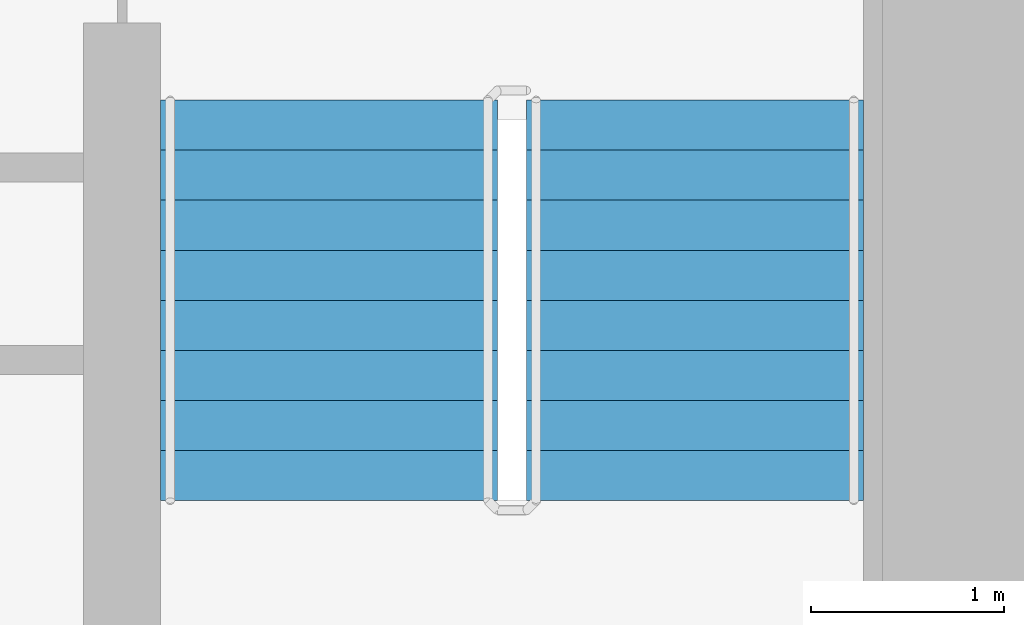
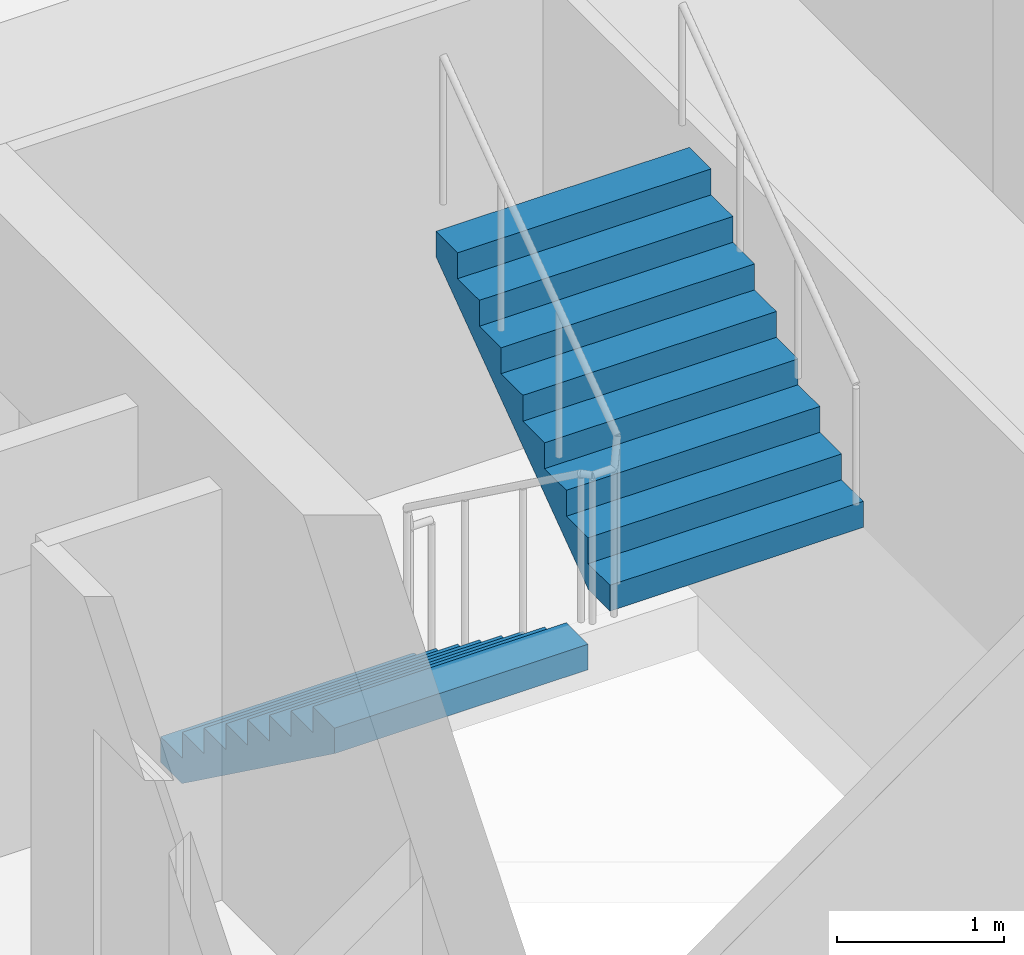
# One storey, part 20 of 25: 2 stair flights, 1 element without a shape of its own.
"""IFC4 building model written with IfcOpenShell, lengths in metres."""

from ifc_helpers import new_model, si_unit, direction, frame, origin, place, context, subcontext, project, spatial, faceted_brep, material, type_object, element, aggregate, save


model = new_model("IFC4")

# Units and contexts
model_context = context("Model", 3, precision=1e-05, world=origin(), true_north=direction((0.0, 1.0)))
body_context = subcontext(model_context, "Body", "Model", "MODEL_VIEW")
ifc_project = project(units=[si_unit("LENGTHUNIT", "METRE"), si_unit("AREAUNIT", "SQUARE_METRE"), si_unit("VOLUMEUNIT", "CUBIC_METRE"), si_unit("PLANEANGLEUNIT", "RADIAN"), si_unit("MASSUNIT", "GRAM", prefix="KILO")], contexts=[model_context])

# Site, building, storey
site_placement = place(None, origin())
site = spatial("IfcSite", under=ifc_project, at=site_placement, CompositionType="ELEMENT")
building_placement = place(site_placement, origin())
building = spatial("IfcBuilding", under=site, at=building_placement, Name="Ipe Terrace Towers", CompositionType="ELEMENT")
storey_placement = place(building_placement, frame((0.0, 0.0, 31.300048828125)))
storey = spatial("IfcBuildingStorey", under=building, at=storey_placement, Name="L07", CompositionType="ELEMENT", Elevation=31.300048828125)

# Stair, stair flights
ifc_material_1 = material(Name="Concrete C30/37", Category="concrete")
stair_type = type_object("IfcStairType", Name="Protected exit stair", PredefinedType="HALF_TURN_STAIR", material=ifc_material_1)
stair_placement = place(storey_placement, origin())
stair = element("IfcStair", 1, at=stair_placement, inside=storey, type_object=stair_type, Name="L07 Exit stair T2-C2", PredefinedType="HALF_TURN_STAIR")
ifc_material_2 = material(Name="Concrete C30/37", Category="concrete")
stair_flight_type = type_object("IfcStairFlightType", Name="Exit stair flight 1750", PredefinedType="STRAIGHT", material=ifc_material_2)
stair_flight_1_placement = place(storey_placement, frame((38.77490234375, -9.699951171875, 0.0), z_axis=(0.0, 0.0, 1.0), x_axis=(0.0, -1.0, 0.0)))
stair_flight_1 = element("IfcStairFlight", 2, at=stair_flight_1_placement, type_object=stair_flight_type, Name="T2-ST2 flight 1", NumberOfRisers=9, NumberOfTreads=8, PredefinedType="STRAIGHT", RiserHeight=0.188888889, TreadLength=0.26, context=body_context, shape_type="Brep", body=[
    faceted_brep([(0.255126953125, -0.875, 0.0), (2.080078125, -0.875, 1.325927734375), (2.080078125, -0.875, 1.51123046875), (1.820068359375, -0.875, 1.51123046875), (1.820068359375, -0.875, 1.322265625), (1.56005859375, -0.875, 1.322265625), (1.56005859375, -0.875, 1.13330078125), (1.300048828125, -0.875, 1.13330078125), (1.300048828125, -0.875, 0.9443359375), (1.0400390625, -0.875, 0.9443359375), (1.0400390625, -0.875, 0.755615234375), (0.780029296875, -0.875, 0.755615234375), (0.780029296875, -0.875, 0.566650390625), (0.52001953125, -0.875, 0.566650390625), (0.52001953125, -0.875, 0.377685546875), (0.260009765625, -0.875, 0.377685546875), (0.260009765625, -0.875, 0.18896484375), (0.0, -0.875, 0.18896484375), (0.0, -0.875, 0.0), (0.0, 0.875, 0.0), (0.0, 0.875, 0.18896484375), (0.260009765625, 0.875, 0.18896484375), (0.260009765625, 0.875, 0.377685546875), (0.52001953125, 0.875, 0.377685546875), (0.52001953125, 0.875, 0.566650390625), (0.780029296875, 0.875, 0.566650390625), (0.780029296875, 0.875, 0.755615234375), (1.0400390625, 0.875, 0.755615234375), (1.0400390625, 0.875, 0.9443359375), (1.300048828125, 0.875, 0.9443359375), (1.300048828125, 0.875, 1.13330078125), (1.56005859375, 0.875, 1.13330078125), (1.56005859375, 0.875, 1.322265625), (1.820068359375, 0.875, 1.322265625), (1.820068359375, 0.875, 1.51123046875), (2.080078125, 0.875, 1.51123046875), (2.080078125, 0.875, 1.325927734375), (0.255126953125, 0.875, 0.0), (0.0, -0.300048828125, 0.18896484375), (0.0, -0.1201171875, 0.18896484375), (0.0, -0.06005859375, 0.18896484375), (0.0, -0.030029296875, 0.18896484375), (0.0, -0.010009765625, 0.18896484375), (0.0, 0.0, 0.18896484375), (0.0, 0.010009765625, 0.18896484375), (0.0, 0.030029296875, 0.18896484375), (0.0, 0.06005859375, 0.18896484375), (0.0, 0.1201171875, 0.18896484375), (0.0, 0.300048828125, 0.18896484375), (0.0, 0.300048828125, 0.0), (0.0, 0.1201171875, 0.0), (0.0, 0.06005859375, 0.0), (0.0, 0.030029296875, 0.0), (0.0, 0.010009765625, 0.0), (0.0, 0.0, 0.0), (0.0, -0.010009765625, 0.0), (0.0, -0.030029296875, 0.0), (0.0, -0.06005859375, 0.0), (0.0, -0.1201171875, 0.0), (0.0, -0.300048828125, 0.0), (0.260009765625, -0.300048828125, 0.18896484375), (0.260009765625, -0.1201171875, 0.18896484375), (0.260009765625, -0.06005859375, 0.18896484375), (0.260009765625, -0.030029296875, 0.18896484375), (0.260009765625, -0.010009765625, 0.18896484375), (0.260009765625, 0.0, 0.18896484375), (0.260009765625, 0.010009765625, 0.18896484375), (0.260009765625, 0.030029296875, 0.18896484375), (0.260009765625, 0.06005859375, 0.18896484375), (0.260009765625, 0.1201171875, 0.18896484375), (0.260009765625, 0.300048828125, 0.18896484375), (0.260009765625, -0.300048828125, 0.377685546875), (0.260009765625, -0.1201171875, 0.377685546875), (0.260009765625, -0.06005859375, 0.377685546875), (0.260009765625, -0.030029296875, 0.377685546875), (0.260009765625, -0.010009765625, 0.377685546875), (0.260009765625, 0.0, 0.377685546875), (0.260009765625, 0.010009765625, 0.377685546875), (0.260009765625, 0.030029296875, 0.377685546875), (0.260009765625, 0.06005859375, 0.377685546875), (0.260009765625, 0.1201171875, 0.377685546875), (0.260009765625, 0.300048828125, 0.377685546875), (0.52001953125, -0.300048828125, 0.377685546875), (0.52001953125, -0.1201171875, 0.377685546875), (0.52001953125, -0.06005859375, 0.377685546875), (0.52001953125, -0.030029296875, 0.377685546875), (0.52001953125, -0.010009765625, 0.377685546875), (0.52001953125, 0.0, 0.377685546875), (0.52001953125, 0.010009765625, 0.377685546875), (0.52001953125, 0.030029296875, 0.377685546875), (0.52001953125, 0.06005859375, 0.377685546875), (0.52001953125, 0.1201171875, 0.377685546875), (0.52001953125, 0.300048828125, 0.377685546875), (0.52001953125, -0.300048828125, 0.566650390625), (0.52001953125, -0.1201171875, 0.566650390625), (0.52001953125, -0.06005859375, 0.566650390625), (0.52001953125, -0.030029296875, 0.566650390625), (0.52001953125, -0.010009765625, 0.566650390625), (0.52001953125, 0.0, 0.566650390625), (0.52001953125, 0.010009765625, 0.566650390625), (0.52001953125, 0.030029296875, 0.566650390625), (0.52001953125, 0.06005859375, 0.566650390625), (0.52001953125, 0.1201171875, 0.566650390625), (0.52001953125, 0.300048828125, 0.566650390625), (0.780029296875, -0.300048828125, 0.566650390625), (0.780029296875, -0.1201171875, 0.566650390625), (0.780029296875, -0.06005859375, 0.566650390625), (0.780029296875, -0.030029296875, 0.566650390625), (0.780029296875, -0.010009765625, 0.566650390625), (0.780029296875, 0.0, 0.566650390625), (0.780029296875, 0.010009765625, 0.566650390625), (0.780029296875, 0.030029296875, 0.566650390625), (0.780029296875, 0.06005859375, 0.566650390625), (0.780029296875, 0.1201171875, 0.566650390625), (0.780029296875, 0.300048828125, 0.566650390625), (0.780029296875, -0.300048828125, 0.755615234375), (0.780029296875, -0.1201171875, 0.755615234375), (0.780029296875, -0.06005859375, 0.755615234375), (0.780029296875, -0.030029296875, 0.755615234375), (0.780029296875, -0.010009765625, 0.755615234375), (0.780029296875, 0.0, 0.755615234375), (0.780029296875, 0.010009765625, 0.755615234375), (0.780029296875, 0.030029296875, 0.755615234375), (0.780029296875, 0.06005859375, 0.755615234375), (0.780029296875, 0.1201171875, 0.755615234375), (0.780029296875, 0.300048828125, 0.755615234375), (1.0400390625, -0.300048828125, 0.755615234375), (1.0400390625, -0.1201171875, 0.755615234375), (1.0400390625, -0.06005859375, 0.755615234375), (1.0400390625, -0.030029296875, 0.755615234375), (1.0400390625, -0.010009765625, 0.755615234375), (1.0400390625, 0.0, 0.755615234375), (1.0400390625, 0.010009765625, 0.755615234375), (1.0400390625, 0.030029296875, 0.755615234375), (1.0400390625, 0.06005859375, 0.755615234375), (1.0400390625, 0.1201171875, 0.755615234375), (1.0400390625, 0.300048828125, 0.755615234375), (1.0400390625, -0.300048828125, 0.9443359375), (1.0400390625, -0.1201171875, 0.9443359375), (1.0400390625, -0.06005859375, 0.9443359375), (1.0400390625, -0.030029296875, 0.9443359375), (1.0400390625, -0.010009765625, 0.9443359375), (1.0400390625, 0.0, 0.9443359375), (1.0400390625, 0.010009765625, 0.9443359375), (1.0400390625, 0.030029296875, 0.9443359375), (1.0400390625, 0.06005859375, 0.9443359375), (1.0400390625, 0.1201171875, 0.9443359375), (1.0400390625, 0.300048828125, 0.9443359375), (1.300048828125, -0.300048828125, 0.9443359375), (1.300048828125, -0.1201171875, 0.9443359375), (1.300048828125, -0.06005859375, 0.9443359375), (1.300048828125, -0.030029296875, 0.9443359375), (1.300048828125, -0.010009765625, 0.9443359375), (1.300048828125, 0.0, 0.9443359375), (1.300048828125, 0.010009765625, 0.9443359375), (1.300048828125, 0.030029296875, 0.9443359375), (1.300048828125, 0.06005859375, 0.9443359375), (1.300048828125, 0.1201171875, 0.9443359375), (1.300048828125, 0.300048828125, 0.9443359375), (1.300048828125, -0.300048828125, 1.13330078125), (1.300048828125, -0.1201171875, 1.13330078125), (1.300048828125, -0.06005859375, 1.13330078125), (1.300048828125, -0.030029296875, 1.13330078125), (1.300048828125, -0.010009765625, 1.13330078125), (1.300048828125, 0.0, 1.13330078125), (1.300048828125, 0.010009765625, 1.13330078125), (1.300048828125, 0.030029296875, 1.13330078125), (1.300048828125, 0.06005859375, 1.13330078125), (1.300048828125, 0.1201171875, 1.13330078125), (1.300048828125, 0.300048828125, 1.13330078125), (1.56005859375, -0.300048828125, 1.13330078125), (1.56005859375, -0.1201171875, 1.13330078125), (1.56005859375, -0.06005859375, 1.13330078125), (1.56005859375, -0.030029296875, 1.13330078125), (1.56005859375, -0.010009765625, 1.13330078125), (1.56005859375, 0.0, 1.13330078125), (1.56005859375, 0.010009765625, 1.13330078125), (1.56005859375, 0.030029296875, 1.13330078125), (1.56005859375, 0.06005859375, 1.13330078125), (1.56005859375, 0.1201171875, 1.13330078125), (1.56005859375, 0.300048828125, 1.13330078125), (1.56005859375, -0.300048828125, 1.322265625), (1.56005859375, -0.1201171875, 1.322265625), (1.56005859375, -0.06005859375, 1.322265625), (1.56005859375, -0.030029296875, 1.322265625), (1.56005859375, -0.010009765625, 1.322265625), (1.56005859375, 0.0, 1.322265625), (1.56005859375, 0.010009765625, 1.322265625), (1.56005859375, 0.030029296875, 1.322265625), (1.56005859375, 0.06005859375, 1.322265625), (1.56005859375, 0.1201171875, 1.322265625), (1.56005859375, 0.300048828125, 1.322265625), (1.820068359375, -0.300048828125, 1.322265625), (1.820068359375, -0.1201171875, 1.322265625), (1.820068359375, -0.06005859375, 1.322265625), (1.820068359375, -0.030029296875, 1.322265625), (1.820068359375, -0.010009765625, 1.322265625), (1.820068359375, 0.0, 1.322265625), (1.820068359375, 0.010009765625, 1.322265625), (1.820068359375, 0.030029296875, 1.322265625), (1.820068359375, 0.06005859375, 1.322265625), (1.820068359375, 0.1201171875, 1.322265625), (1.820068359375, 0.300048828125, 1.322265625), (1.820068359375, -0.300048828125, 1.51123046875), (1.820068359375, -0.1201171875, 1.51123046875), (1.820068359375, -0.06005859375, 1.51123046875), (1.820068359375, -0.030029296875, 1.51123046875), (1.820068359375, -0.010009765625, 1.51123046875), (1.820068359375, 0.0, 1.51123046875), (1.820068359375, 0.010009765625, 1.51123046875), (1.820068359375, 0.030029296875, 1.51123046875), (1.820068359375, 0.06005859375, 1.51123046875), (1.820068359375, 0.1201171875, 1.51123046875), (1.820068359375, 0.300048828125, 1.51123046875), (2.080078125, -0.300048828125, 1.51123046875), (2.080078125, -0.1201171875, 1.51123046875), (2.080078125, -0.06005859375, 1.51123046875), (2.080078125, -0.030029296875, 1.51123046875), (2.080078125, -0.010009765625, 1.51123046875), (2.080078125, 0.0, 1.51123046875), (2.080078125, 0.010009765625, 1.51123046875), (2.080078125, 0.030029296875, 1.51123046875), (2.080078125, 0.06005859375, 1.51123046875), (2.080078125, 0.1201171875, 1.51123046875), (2.080078125, 0.300048828125, 1.51123046875), (2.080078125, -0.300048828125, 1.325927734375), (2.080078125, -0.1201171875, 1.325927734375), (2.080078125, -0.06005859375, 1.325927734375), (2.080078125, -0.030029296875, 1.325927734375), (2.080078125, -0.010009765625, 1.325927734375), (2.080078125, 0.0, 1.325927734375), (2.080078125, 0.010009765625, 1.325927734375), (2.080078125, 0.030029296875, 1.325927734375), (2.080078125, 0.06005859375, 1.325927734375), (2.080078125, 0.1201171875, 1.325927734375), (2.080078125, 0.300048828125, 1.325927734375), (0.255126953125, -0.300048828125, 0.0), (0.255126953125, -0.1201171875, 0.0), (0.255126953125, -0.06005859375, 0.0), (0.255126953125, -0.030029296875, 0.0), (0.255126953125, -0.010009765625, 0.0), (0.255126953125, 0.0, 0.0), (0.255126953125, 0.010009765625, 0.0), (0.255126953125, 0.030029296875, 0.0), (0.255126953125, 0.06005859375, 0.0), (0.255126953125, 0.1201171875, 0.0), (0.255126953125, 0.300048828125, 0.0)], [[[0, 1, 2, 3, 4, 5, 6, 7, 8, 9, 10, 11, 12, 13, 14, 15, 16, 17, 18]], [[19, 20, 21, 22, 23, 24, 25, 26, 27, 28, 29, 30, 31, 32, 33, 34, 35, 36, 37]], [[17, 38, 39, 40, 41, 42, 43, 44, 45, 46, 47, 48, 20, 19, 49, 50, 51, 52, 53, 54, 55, 56, 57, 58, 59, 18]], [[16, 60, 61, 62, 63, 64, 65, 66, 67, 68, 69, 70, 21, 20, 48, 47, 46, 45, 44, 43, 42, 41, 40, 39, 38, 17]], [[15, 71, 72, 73, 74, 75, 76, 77, 78, 79, 80, 81, 22, 21, 70, 69, 68, 67, 66, 65, 64, 63, 62, 61, 60, 16]], [[14, 82, 83, 84, 85, 86, 87, 88, 89, 90, 91, 92, 23, 22, 81, 80, 79, 78, 77, 76, 75, 74, 73, 72, 71, 15]], [[13, 93, 94, 95, 96, 97, 98, 99, 100, 101, 102, 103, 24, 23, 92, 91, 90, 89, 88, 87, 86, 85, 84, 83, 82, 14]], [[12, 104, 105, 106, 107, 108, 109, 110, 111, 112, 113, 114, 25, 24, 103, 102, 101, 100, 99, 98, 97, 96, 95, 94, 93, 13]], [[11, 115, 116, 117, 118, 119, 120, 121, 122, 123, 124, 125, 26, 25, 114, 113, 112, 111, 110, 109, 108, 107, 106, 105, 104, 12]], [[10, 126, 127, 128, 129, 130, 131, 132, 133, 134, 135, 136, 27, 26, 125, 124, 123, 122, 121, 120, 119, 118, 117, 116, 115, 11]], [[9, 137, 138, 139, 140, 141, 142, 143, 144, 145, 146, 147, 28, 27, 136, 135, 134, 133, 132, 131, 130, 129, 128, 127, 126, 10]], [[8, 148, 149, 150, 151, 152, 153, 154, 155, 156, 157, 158, 29, 28, 147, 146, 145, 144, 143, 142, 141, 140, 139, 138, 137, 9]], [[7, 159, 160, 161, 162, 163, 164, 165, 166, 167, 168, 169, 30, 29, 158, 157, 156, 155, 154, 153, 152, 151, 150, 149, 148, 8]], [[6, 170, 171, 172, 173, 174, 175, 176, 177, 178, 179, 180, 31, 30, 169, 168, 167, 166, 165, 164, 163, 162, 161, 160, 159, 7]], [[5, 181, 182, 183, 184, 185, 186, 187, 188, 189, 190, 191, 32, 31, 180, 179, 178, 177, 176, 175, 174, 173, 172, 171, 170, 6]], [[4, 192, 193, 194, 195, 196, 197, 198, 199, 200, 201, 202, 33, 32, 191, 190, 189, 188, 187, 186, 185, 184, 183, 182, 181, 5]], [[3, 203, 204, 205, 206, 207, 208, 209, 210, 211, 212, 213, 34, 33, 202, 201, 200, 199, 198, 197, 196, 195, 194, 193, 192, 4]], [[2, 214, 215, 216, 217, 218, 219, 220, 221, 222, 223, 224, 35, 34, 213, 212, 211, 210, 209, 208, 207, 206, 205, 204, 203, 3]], [[1, 225, 226, 227, 228, 229, 230, 231, 232, 233, 234, 235, 36, 35, 224, 223, 222, 221, 220, 219, 218, 217, 216, 215, 214, 2]], [[0, 236, 237, 238, 239, 240, 241, 242, 243, 244, 245, 246, 37, 36, 235, 234, 233, 232, 231, 230, 229, 228, 227, 226, 225, 1]], [[18, 59, 58, 57, 56, 55, 54, 53, 52, 51, 50, 49, 19, 37, 246, 245, 244, 243, 242, 241, 240, 239, 238, 237, 236, 0]]]),
])
stair_flight_2_placement = place(storey_placement, frame((40.675048828125, -11.780029296875, 1.699951171875), z_axis=(0.0, 0.0, 1.0), x_axis=(0.0, 1.0, 0.0)))
stair_flight_2 = element("IfcStairFlight", 3, at=stair_flight_2_placement, type_object=stair_flight_type, Name="T2-ST2 flight 2", NumberOfRisers=9, NumberOfTreads=8, PredefinedType="STRAIGHT", RiserHeight=0.188888889, TreadLength=0.26, context=body_context, shape_type="Brep", body=[
    faceted_brep([(0.255126953125, -0.875, 0.0), (2.080078125, -0.875, 1.325927734375), (2.080078125, -0.875, 1.51123046875), (1.820068359375, -0.875, 1.51123046875), (1.820068359375, -0.875, 1.322265625), (1.56005859375, -0.875, 1.322265625), (1.56005859375, -0.875, 1.13330078125), (1.300048828125, -0.875, 1.13330078125), (1.300048828125, -0.875, 0.9443359375), (1.0400390625, -0.875, 0.9443359375), (1.0400390625, -0.875, 0.755615234375), (0.780029296875, -0.875, 0.755615234375), (0.780029296875, -0.875, 0.566650390625), (0.52001953125, -0.875, 0.566650390625), (0.52001953125, -0.875, 0.377685546875), (0.260009765625, -0.875, 0.377685546875), (0.260009765625, -0.875, 0.18896484375), (0.0, -0.875, 0.18896484375), (0.0, -0.875, 0.0), (0.0, 0.875, 0.0), (0.0, 0.875, 0.18896484375), (0.260009765625, 0.875, 0.18896484375), (0.260009765625, 0.875, 0.377685546875), (0.52001953125, 0.875, 0.377685546875), (0.52001953125, 0.875, 0.566650390625), (0.780029296875, 0.875, 0.566650390625), (0.780029296875, 0.875, 0.755615234375), (1.0400390625, 0.875, 0.755615234375), (1.0400390625, 0.875, 0.9443359375), (1.300048828125, 0.875, 0.9443359375), (1.300048828125, 0.875, 1.13330078125), (1.56005859375, 0.875, 1.13330078125), (1.56005859375, 0.875, 1.322265625), (1.820068359375, 0.875, 1.322265625), (1.820068359375, 0.875, 1.51123046875), (2.080078125, 0.875, 1.51123046875), (2.080078125, 0.875, 1.325927734375), (0.255126953125, 0.875, 0.0), (0.0, -0.300048828125, 0.18896484375), (0.0, -0.1201171875, 0.18896484375), (0.0, -0.06005859375, 0.18896484375), (0.0, -0.030029296875, 0.18896484375), (0.0, -0.010009765625, 0.18896484375), (0.0, 0.0, 0.18896484375), (0.0, 0.010009765625, 0.18896484375), (0.0, 0.030029296875, 0.18896484375), (0.0, 0.06005859375, 0.18896484375), (0.0, 0.1201171875, 0.18896484375), (0.0, 0.300048828125, 0.18896484375), (0.0, 0.300048828125, 0.0), (0.0, 0.1201171875, 0.0), (0.0, 0.06005859375, 0.0), (0.0, 0.030029296875, 0.0), (0.0, 0.010009765625, 0.0), (0.0, 0.0, 0.0), (0.0, -0.010009765625, 0.0), (0.0, -0.030029296875, 0.0), (0.0, -0.06005859375, 0.0), (0.0, -0.1201171875, 0.0), (0.0, -0.300048828125, 0.0), (0.260009765625, -0.300048828125, 0.18896484375), (0.260009765625, -0.1201171875, 0.18896484375), (0.260009765625, -0.06005859375, 0.18896484375), (0.260009765625, -0.030029296875, 0.18896484375), (0.260009765625, -0.010009765625, 0.18896484375), (0.260009765625, 0.0, 0.18896484375), (0.260009765625, 0.010009765625, 0.18896484375), (0.260009765625, 0.030029296875, 0.18896484375), (0.260009765625, 0.06005859375, 0.18896484375), (0.260009765625, 0.1201171875, 0.18896484375), (0.260009765625, 0.300048828125, 0.18896484375), (0.260009765625, -0.300048828125, 0.377685546875), (0.260009765625, -0.1201171875, 0.377685546875), (0.260009765625, -0.06005859375, 0.377685546875), (0.260009765625, -0.030029296875, 0.377685546875), (0.260009765625, -0.010009765625, 0.377685546875), (0.260009765625, 0.0, 0.377685546875), (0.260009765625, 0.010009765625, 0.377685546875), (0.260009765625, 0.030029296875, 0.377685546875), (0.260009765625, 0.06005859375, 0.377685546875), (0.260009765625, 0.1201171875, 0.377685546875), (0.260009765625, 0.300048828125, 0.377685546875), (0.52001953125, -0.300048828125, 0.377685546875), (0.52001953125, -0.1201171875, 0.377685546875), (0.52001953125, -0.06005859375, 0.377685546875), (0.52001953125, -0.030029296875, 0.377685546875), (0.52001953125, -0.010009765625, 0.377685546875), (0.52001953125, 0.0, 0.377685546875), (0.52001953125, 0.010009765625, 0.377685546875), (0.52001953125, 0.030029296875, 0.377685546875), (0.52001953125, 0.06005859375, 0.377685546875), (0.52001953125, 0.1201171875, 0.377685546875), (0.52001953125, 0.300048828125, 0.377685546875), (0.52001953125, -0.300048828125, 0.566650390625), (0.52001953125, -0.1201171875, 0.566650390625), (0.52001953125, -0.06005859375, 0.566650390625), (0.52001953125, -0.030029296875, 0.566650390625), (0.52001953125, -0.010009765625, 0.566650390625), (0.52001953125, 0.0, 0.566650390625), (0.52001953125, 0.010009765625, 0.566650390625), (0.52001953125, 0.030029296875, 0.566650390625), (0.52001953125, 0.06005859375, 0.566650390625), (0.52001953125, 0.1201171875, 0.566650390625), (0.52001953125, 0.300048828125, 0.566650390625), (0.780029296875, -0.300048828125, 0.566650390625), (0.780029296875, -0.1201171875, 0.566650390625), (0.780029296875, -0.06005859375, 0.566650390625), (0.780029296875, -0.030029296875, 0.566650390625), (0.780029296875, -0.010009765625, 0.566650390625), (0.780029296875, 0.0, 0.566650390625), (0.780029296875, 0.010009765625, 0.566650390625), (0.780029296875, 0.030029296875, 0.566650390625), (0.780029296875, 0.06005859375, 0.566650390625), (0.780029296875, 0.1201171875, 0.566650390625), (0.780029296875, 0.300048828125, 0.566650390625), (0.780029296875, -0.300048828125, 0.755615234375), (0.780029296875, -0.1201171875, 0.755615234375), (0.780029296875, -0.06005859375, 0.755615234375), (0.780029296875, -0.030029296875, 0.755615234375), (0.780029296875, -0.010009765625, 0.755615234375), (0.780029296875, 0.0, 0.755615234375), (0.780029296875, 0.010009765625, 0.755615234375), (0.780029296875, 0.030029296875, 0.755615234375), (0.780029296875, 0.06005859375, 0.755615234375), (0.780029296875, 0.1201171875, 0.755615234375), (0.780029296875, 0.300048828125, 0.755615234375), (1.0400390625, -0.300048828125, 0.755615234375), (1.0400390625, -0.1201171875, 0.755615234375), (1.0400390625, -0.06005859375, 0.755615234375), (1.0400390625, -0.030029296875, 0.755615234375), (1.0400390625, -0.010009765625, 0.755615234375), (1.0400390625, 0.0, 0.755615234375), (1.0400390625, 0.010009765625, 0.755615234375), (1.0400390625, 0.030029296875, 0.755615234375), (1.0400390625, 0.06005859375, 0.755615234375), (1.0400390625, 0.1201171875, 0.755615234375), (1.0400390625, 0.300048828125, 0.755615234375), (1.0400390625, -0.300048828125, 0.9443359375), (1.0400390625, -0.1201171875, 0.9443359375), (1.0400390625, -0.06005859375, 0.9443359375), (1.0400390625, -0.030029296875, 0.9443359375), (1.0400390625, -0.010009765625, 0.9443359375), (1.0400390625, 0.0, 0.9443359375), (1.0400390625, 0.010009765625, 0.9443359375), (1.0400390625, 0.030029296875, 0.9443359375), (1.0400390625, 0.06005859375, 0.9443359375), (1.0400390625, 0.1201171875, 0.9443359375), (1.0400390625, 0.300048828125, 0.9443359375), (1.300048828125, -0.300048828125, 0.9443359375), (1.300048828125, -0.1201171875, 0.9443359375), (1.300048828125, -0.06005859375, 0.9443359375), (1.300048828125, -0.030029296875, 0.9443359375), (1.300048828125, -0.010009765625, 0.9443359375), (1.300048828125, 0.0, 0.9443359375), (1.300048828125, 0.010009765625, 0.9443359375), (1.300048828125, 0.030029296875, 0.9443359375), (1.300048828125, 0.06005859375, 0.9443359375), (1.300048828125, 0.1201171875, 0.9443359375), (1.300048828125, 0.300048828125, 0.9443359375), (1.300048828125, -0.300048828125, 1.13330078125), (1.300048828125, -0.1201171875, 1.13330078125), (1.300048828125, -0.06005859375, 1.13330078125), (1.300048828125, -0.030029296875, 1.13330078125), (1.300048828125, -0.010009765625, 1.13330078125), (1.300048828125, 0.0, 1.13330078125), (1.300048828125, 0.010009765625, 1.13330078125), (1.300048828125, 0.030029296875, 1.13330078125), (1.300048828125, 0.06005859375, 1.13330078125), (1.300048828125, 0.1201171875, 1.13330078125), (1.300048828125, 0.300048828125, 1.13330078125), (1.56005859375, -0.300048828125, 1.13330078125), (1.56005859375, -0.1201171875, 1.13330078125), (1.56005859375, -0.06005859375, 1.13330078125), (1.56005859375, -0.030029296875, 1.13330078125), (1.56005859375, -0.010009765625, 1.13330078125), (1.56005859375, 0.0, 1.13330078125), (1.56005859375, 0.010009765625, 1.13330078125), (1.56005859375, 0.030029296875, 1.13330078125), (1.56005859375, 0.06005859375, 1.13330078125), (1.56005859375, 0.1201171875, 1.13330078125), (1.56005859375, 0.300048828125, 1.13330078125), (1.56005859375, -0.300048828125, 1.322265625), (1.56005859375, -0.1201171875, 1.322265625), (1.56005859375, -0.06005859375, 1.322265625), (1.56005859375, -0.030029296875, 1.322265625), (1.56005859375, -0.010009765625, 1.322265625), (1.56005859375, 0.0, 1.322265625), (1.56005859375, 0.010009765625, 1.322265625), (1.56005859375, 0.030029296875, 1.322265625), (1.56005859375, 0.06005859375, 1.322265625), (1.56005859375, 0.1201171875, 1.322265625), (1.56005859375, 0.300048828125, 1.322265625), (1.820068359375, -0.300048828125, 1.322265625), (1.820068359375, -0.1201171875, 1.322265625), (1.820068359375, -0.06005859375, 1.322265625), (1.820068359375, -0.030029296875, 1.322265625), (1.820068359375, -0.010009765625, 1.322265625), (1.820068359375, 0.0, 1.322265625), (1.820068359375, 0.010009765625, 1.322265625), (1.820068359375, 0.030029296875, 1.322265625), (1.820068359375, 0.06005859375, 1.322265625), (1.820068359375, 0.1201171875, 1.322265625), (1.820068359375, 0.300048828125, 1.322265625), (1.820068359375, -0.300048828125, 1.51123046875), (1.820068359375, -0.1201171875, 1.51123046875), (1.820068359375, -0.06005859375, 1.51123046875), (1.820068359375, -0.030029296875, 1.51123046875), (1.820068359375, -0.010009765625, 1.51123046875), (1.820068359375, 0.0, 1.51123046875), (1.820068359375, 0.010009765625, 1.51123046875), (1.820068359375, 0.030029296875, 1.51123046875), (1.820068359375, 0.06005859375, 1.51123046875), (1.820068359375, 0.1201171875, 1.51123046875), (1.820068359375, 0.300048828125, 1.51123046875), (2.080078125, -0.300048828125, 1.51123046875), (2.080078125, -0.1201171875, 1.51123046875), (2.080078125, -0.06005859375, 1.51123046875), (2.080078125, -0.030029296875, 1.51123046875), (2.080078125, -0.010009765625, 1.51123046875), (2.080078125, 0.0, 1.51123046875), (2.080078125, 0.010009765625, 1.51123046875), (2.080078125, 0.030029296875, 1.51123046875), (2.080078125, 0.06005859375, 1.51123046875), (2.080078125, 0.1201171875, 1.51123046875), (2.080078125, 0.300048828125, 1.51123046875), (2.080078125, -0.300048828125, 1.325927734375), (2.080078125, -0.1201171875, 1.325927734375), (2.080078125, -0.06005859375, 1.325927734375), (2.080078125, -0.030029296875, 1.325927734375), (2.080078125, -0.010009765625, 1.325927734375), (2.080078125, 0.0, 1.325927734375), (2.080078125, 0.010009765625, 1.325927734375), (2.080078125, 0.030029296875, 1.325927734375), (2.080078125, 0.06005859375, 1.325927734375), (2.080078125, 0.1201171875, 1.325927734375), (2.080078125, 0.300048828125, 1.325927734375), (0.255126953125, -0.300048828125, 0.0), (0.255126953125, -0.1201171875, 0.0), (0.255126953125, -0.06005859375, 0.0), (0.255126953125, -0.030029296875, 0.0), (0.255126953125, -0.010009765625, 0.0), (0.255126953125, 0.0, 0.0), (0.255126953125, 0.010009765625, 0.0), (0.255126953125, 0.030029296875, 0.0), (0.255126953125, 0.06005859375, 0.0), (0.255126953125, 0.1201171875, 0.0), (0.255126953125, 0.300048828125, 0.0)], [[[0, 1, 2, 3, 4, 5, 6, 7, 8, 9, 10, 11, 12, 13, 14, 15, 16, 17, 18]], [[19, 20, 21, 22, 23, 24, 25, 26, 27, 28, 29, 30, 31, 32, 33, 34, 35, 36, 37]], [[17, 38, 39, 40, 41, 42, 43, 44, 45, 46, 47, 48, 20, 19, 49, 50, 51, 52, 53, 54, 55, 56, 57, 58, 59, 18]], [[16, 60, 61, 62, 63, 64, 65, 66, 67, 68, 69, 70, 21, 20, 48, 47, 46, 45, 44, 43, 42, 41, 40, 39, 38, 17]], [[15, 71, 72, 73, 74, 75, 76, 77, 78, 79, 80, 81, 22, 21, 70, 69, 68, 67, 66, 65, 64, 63, 62, 61, 60, 16]], [[14, 82, 83, 84, 85, 86, 87, 88, 89, 90, 91, 92, 23, 22, 81, 80, 79, 78, 77, 76, 75, 74, 73, 72, 71, 15]], [[13, 93, 94, 95, 96, 97, 98, 99, 100, 101, 102, 103, 24, 23, 92, 91, 90, 89, 88, 87, 86, 85, 84, 83, 82, 14]], [[12, 104, 105, 106, 107, 108, 109, 110, 111, 112, 113, 114, 25, 24, 103, 102, 101, 100, 99, 98, 97, 96, 95, 94, 93, 13]], [[11, 115, 116, 117, 118, 119, 120, 121, 122, 123, 124, 125, 26, 25, 114, 113, 112, 111, 110, 109, 108, 107, 106, 105, 104, 12]], [[10, 126, 127, 128, 129, 130, 131, 132, 133, 134, 135, 136, 27, 26, 125, 124, 123, 122, 121, 120, 119, 118, 117, 116, 115, 11]], [[9, 137, 138, 139, 140, 141, 142, 143, 144, 145, 146, 147, 28, 27, 136, 135, 134, 133, 132, 131, 130, 129, 128, 127, 126, 10]], [[8, 148, 149, 150, 151, 152, 153, 154, 155, 156, 157, 158, 29, 28, 147, 146, 145, 144, 143, 142, 141, 140, 139, 138, 137, 9]], [[7, 159, 160, 161, 162, 163, 164, 165, 166, 167, 168, 169, 30, 29, 158, 157, 156, 155, 154, 153, 152, 151, 150, 149, 148, 8]], [[6, 170, 171, 172, 173, 174, 175, 176, 177, 178, 179, 180, 31, 30, 169, 168, 167, 166, 165, 164, 163, 162, 161, 160, 159, 7]], [[5, 181, 182, 183, 184, 185, 186, 187, 188, 189, 190, 191, 32, 31, 180, 179, 178, 177, 176, 175, 174, 173, 172, 171, 170, 6]], [[4, 192, 193, 194, 195, 196, 197, 198, 199, 200, 201, 202, 33, 32, 191, 190, 189, 188, 187, 186, 185, 184, 183, 182, 181, 5]], [[3, 203, 204, 205, 206, 207, 208, 209, 210, 211, 212, 213, 34, 33, 202, 201, 200, 199, 198, 197, 196, 195, 194, 193, 192, 4]], [[2, 214, 215, 216, 217, 218, 219, 220, 221, 222, 223, 224, 35, 34, 213, 212, 211, 210, 209, 208, 207, 206, 205, 204, 203, 3]], [[1, 225, 226, 227, 228, 229, 230, 231, 232, 233, 234, 235, 36, 35, 224, 223, 222, 221, 220, 219, 218, 217, 216, 215, 214, 2]], [[0, 236, 237, 238, 239, 240, 241, 242, 243, 244, 245, 246, 37, 36, 235, 234, 233, 232, 231, 230, 229, 228, 227, 226, 225, 1]], [[18, 59, 58, 57, 56, 55, 54, 53, 52, 51, 50, 49, 19, 37, 246, 245, 244, 243, 242, 241, 240, 239, 238, 237, 236, 0]]]),
])
aggregate(stair, [stair_flight_1, stair_flight_2])

save(model, "model.ifc")
